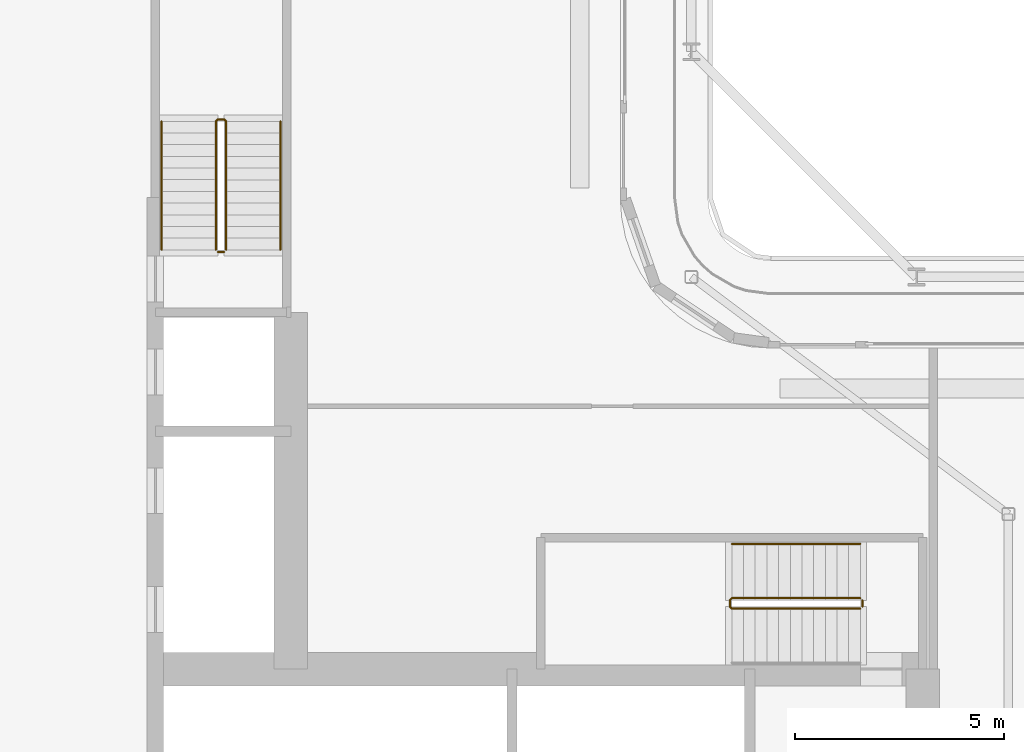
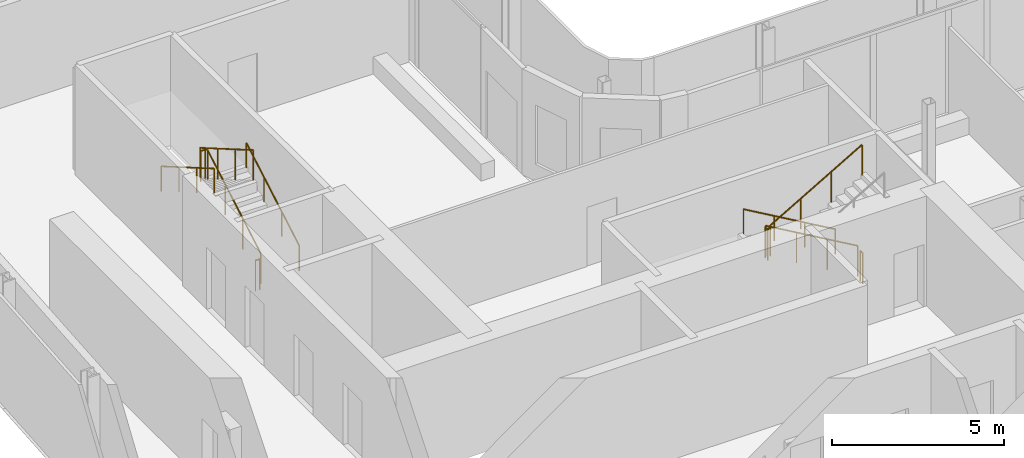
# One storey, part 23 of 28: 7 railings.
"""IFC4 building model written with IfcOpenShell, lengths in metres."""

from ifc_helpers import new_model, si_unit, direction, frame, origin, origin_2d, place, context, subcontext, project, spatial, circle, extrude, material, type_object, element, save


model = new_model("IFC4")

# Units and contexts
model_context = context("Model", 3, precision=1e-05, world=origin(), true_north=direction((0.0, 1.0)))
body_context = subcontext(model_context, "Body", "Model", "MODEL_VIEW")
ifc_project = project(units=[si_unit("LENGTHUNIT", "METRE"), si_unit("AREAUNIT", "SQUARE_METRE"), si_unit("VOLUMEUNIT", "CUBIC_METRE"), si_unit("PLANEANGLEUNIT", "RADIAN"), si_unit("MASSUNIT", "GRAM", prefix="KILO")], contexts=[model_context])

# Site, building, storey
site_placement = place(None, origin())
site = spatial("IfcSite", under=ifc_project, at=site_placement, CompositionType="ELEMENT")
building_placement = place(site_placement, origin())
building = spatial("IfcBuilding", under=site, at=building_placement, Name="Kheshtan School and Residences Tower", CompositionType="ELEMENT")
storey_placement = place(building_placement, frame((0.0, 0.0, 187.699951171875)))
storey = spatial("IfcBuildingStorey", under=building, at=storey_placement, Name="L44", CompositionType="ELEMENT", Elevation=187.699951171875)

# Railings
ifc_material_1 = material(Name="Stainless steel balustrade", Category="steel")
railing_type_1 = type_object("IfcRailingType", Name="Stair guard 1100", PredefinedType="GUARDRAIL", material=ifc_material_1)
railing_1_placement = place(storey_placement, frame((51.64990234375, 37.89990234375, 0.16259765625)))
element("IfcRailing", 1, at=railing_1_placement, inside=storey, type_object=railing_type_1, Name="L44 ST1 stair guard 1", PredefinedType="GUARDRAIL", context=body_context, shape_type="SweptSolid", body=[
    extrude(circle(Radius=0.02392578125, at=origin_2d()), frame((0.0, 0.0, 1.076171875), z_axis=(-0.864903211148, 0.0, 0.501938676878), x_axis=(0.0, -1.0, 0.0)), (0.0, 0.0, 1.0), 3.560791015625),
    extrude(circle(Radius=0.02392578125, at=origin_2d()), frame((-3.079833984375, 0.0, 2.86328125), z_axis=(-0.708833529934, -0.705375805398, 0.0), x_axis=(0.705375805398, -0.708833529934, 0.0)), (0.0, 0.0, 1.0), 0.070556640625),
    extrude(circle(Radius=0.02392578125, at=origin_2d()), frame((-3.1298828125, -0.0498046875, 2.86328125), z_axis=(0.0, -1.0, 0.0), x_axis=(1.0, 0.0, 0.0)), (0.0, 0.0, 1.0), 0.150146484375),
    extrude(circle(Radius=0.02392578125, at=origin_2d()), frame((-3.1298828125, -0.199951171875, 2.86328125), z_axis=(0.282227285176, -0.282227285176, 0.916894497205), x_axis=(0.707106781187, 0.707106781187, 0.0)), (0.0, 0.0, 1.0), 0.17724609375),
    extrude(circle(Radius=0.02392578125, at=origin_2d()), frame((-3.079833984375, -0.25, 3.02587890625), z_axis=(0.864873446163, 0.0, 0.501989962173), x_axis=(0.0, 1.0, 0.0)), (0.0, 0.0, 1.0), 3.56103515625),
    extrude(circle(Radius=0.02099609375, at=origin_2d()), origin(), (0.0, 0.0, 1.0), 1.052001953125),
    extrude(circle(Radius=0.02099609375, at=origin_2d()), frame((-1.026611328125, 0.0, 0.595703125)), (0.0, 0.0, 1.0), 1.052001953125),
    extrude(circle(Radius=0.02099609375, at=origin_2d()), frame((-2.05322265625, 0.0, 1.191650390625)), (0.0, 0.0, 1.0), 1.052001953125),
    extrude(circle(Radius=0.02099609375, at=origin_2d()), frame((-3.079833984375, 0.0, 1.787353515625)), (0.0, 0.0, 1.0), 1.052001953125),
    extrude(circle(Radius=0.02099609375, at=origin_2d()), frame((-3.1298828125, -0.0498046875, 1.787353515625)), (0.0, 0.0, 1.0), 1.052001953125),
    extrude(circle(Radius=0.02099609375, at=origin_2d()), frame((-3.1298828125, -0.199951171875, 1.787353515625)), (0.0, 0.0, 1.0), 1.052001953125),
    extrude(circle(Radius=0.02099609375, at=origin_2d()), frame((-3.079833984375, -0.25, 1.949951171875)), (0.0, 0.0, 1.0), 1.052001953125),
    extrude(circle(Radius=0.02099609375, at=origin_2d()), frame((-2.05322265625, -0.25, 2.5458984375)), (0.0, 0.0, 1.0), 1.052001953125),
    extrude(circle(Radius=0.02099609375, at=origin_2d()), frame((-1.026611328125, -0.25, 3.1416015625)), (0.0, 0.0, 1.0), 1.052001953125),
    extrude(circle(Radius=0.02099609375, at=origin_2d()), frame((0.0, -0.25, 3.737548828125)), (0.0, 0.0, 1.0), 1.052001953125),
])
railing_2_placement = place(storey_placement, frame((51.699951171875, 37.85009765625, 0.0)))
element("IfcRailing", 2, at=railing_2_placement, inside=storey, type_object=railing_type_1, Name="L44 ST1 stair guard 2", PredefinedType="GUARDRAIL", context=body_context, shape_type="SweptSolid", body=[
    extrude(circle(Radius=0.02392578125, at=origin_2d()), frame((0.0, 0.0, 1.076171875), z_axis=(0.0, -1.0, 0.0), x_axis=(1.0, 0.0, 0.0)), (0.0, 0.0, 1.0), 0.150146484375),
    extrude(circle(Radius=0.02099609375, at=origin_2d()), origin(), (0.0, 0.0, 1.0), 1.052001953125),
    extrude(circle(Radius=0.02099609375, at=origin_2d()), frame((0.0, -0.150146484375, 0.0)), (0.0, 0.0, 1.0), 1.052001953125),
])
railing_3_placement = place(storey_placement, frame((36.449951171875, 46.25, 0.16259765625)))
element("IfcRailing", 3, at=railing_3_placement, inside=storey, type_object=railing_type_1, Name="L44 ST2 stair guard 1", PredefinedType="GUARDRAIL", context=body_context, shape_type="SweptSolid", body=[
    extrude(circle(Radius=0.02392578125, at=origin_2d()), frame((0.0, 0.0, 1.076171875), z_axis=(0.0, 0.864920483161, 0.501908913857), x_axis=(-1.0, 0.0, 0.0)), (0.0, 0.0, 1.0), 3.56103515625),
    extrude(circle(Radius=0.02392578125, at=origin_2d()), frame((0.0, 3.080078125, 2.86328125), z_axis=(-0.708833529934, 0.705375805398, 0.0), x_axis=(-0.705375805398, -0.708833529934, 0.0)), (0.0, 0.0, 1.0), 0.070556640625),
    extrude(circle(Radius=0.02392578125, at=origin_2d()), frame((-0.050048828125, 3.1298828125, 2.86328125), z_axis=(-1.0, 0.0, 0.0), x_axis=(0.0, -1.0, 0.0)), (0.0, 0.0, 1.0), 0.14990234375),
    extrude(circle(Radius=0.02392578125, at=origin_2d()), frame((-0.199951171875, 3.1298828125, 2.86328125), z_axis=(-0.282336740067, -0.280959487676, 0.917250092119), x_axis=(0.705375805398, -0.708833529934, 0.0)), (0.0, 0.0, 1.0), 0.17724609375),
    extrude(circle(Radius=0.02392578125, at=origin_2d()), frame((-0.25, 3.080078125, 3.02587890625), z_axis=(0.0, -0.864890721111, 0.501960198159), x_axis=(1.0, 0.0, 0.0)), (0.0, 0.0, 1.0), 3.561279296875),
    extrude(circle(Radius=0.02099609375, at=origin_2d()), origin(), (0.0, 0.0, 1.0), 1.052001953125),
    extrude(circle(Radius=0.02099609375, at=origin_2d()), frame((0.0, 1.026611328125, 0.595703125)), (0.0, 0.0, 1.0), 1.052001953125),
    extrude(circle(Radius=0.02099609375, at=origin_2d()), frame((0.0, 2.053466796875, 1.191650390625)), (0.0, 0.0, 1.0), 1.052001953125),
    extrude(circle(Radius=0.02099609375, at=origin_2d()), frame((0.0, 3.080078125, 1.787353515625)), (0.0, 0.0, 1.0), 1.052001953125),
    extrude(circle(Radius=0.02099609375, at=origin_2d()), frame((-0.050048828125, 3.1298828125, 1.787353515625)), (0.0, 0.0, 1.0), 1.052001953125),
    extrude(circle(Radius=0.02099609375, at=origin_2d()), frame((-0.199951171875, 3.1298828125, 1.787353515625)), (0.0, 0.0, 1.0), 1.052001953125),
    extrude(circle(Radius=0.02099609375, at=origin_2d()), frame((-0.25, 3.080078125, 1.949951171875)), (0.0, 0.0, 1.0), 1.052001953125),
    extrude(circle(Radius=0.02099609375, at=origin_2d()), frame((-0.25, 2.053466796875, 2.5458984375)), (0.0, 0.0, 1.0), 1.052001953125),
    extrude(circle(Radius=0.02099609375, at=origin_2d()), frame((-0.25, 1.026611328125, 3.1416015625)), (0.0, 0.0, 1.0), 1.052001953125),
    extrude(circle(Radius=0.02099609375, at=origin_2d()), frame((-0.25, 0.0, 3.737548828125)), (0.0, 0.0, 1.0), 1.052001953125),
])
railing_4_placement = place(storey_placement, frame((36.39990234375, 46.199951171875, 0.0)))
element("IfcRailing", 4, at=railing_4_placement, inside=storey, type_object=railing_type_1, Name="L44 ST2 stair guard 2", PredefinedType="GUARDRAIL", context=body_context, shape_type="SweptSolid", body=[
    extrude(circle(Radius=0.02392578125, at=origin_2d()), frame((0.0, 0.0, 1.076171875), z_axis=(-1.0, 0.0, 0.0), x_axis=(0.0, -1.0, 0.0)), (0.0, 0.0, 1.0), 0.14990234375),
    extrude(circle(Radius=0.02099609375, at=origin_2d()), origin(), (0.0, 0.0, 1.0), 1.052001953125),
    extrude(circle(Radius=0.02099609375, at=origin_2d()), frame((-0.14990234375, 0.0, 0.0)), (0.0, 0.0, 1.0), 1.052001953125),
])
ifc_material_2 = material(Name="Stainless steel handrail", Category="steel")
railing_type_2 = type_object("IfcRailingType", Name="Stair handrail 900", PredefinedType="HANDRAIL", material=ifc_material_2)
railing_5_placement = place(storey_placement, frame((51.64990234375, 39.199951171875, 0.16259765625)))
element("IfcRailing", 5, at=railing_5_placement, inside=storey, type_object=railing_type_2, Name="L44 ST1 stair handrail 1", PredefinedType="HANDRAIL", context=body_context, shape_type="SweptSolid", body=[
    extrude(circle(Radius=0.02392578125, at=origin_2d()), frame((0.0, 0.0, 0.8759765625), z_axis=(-0.864903211148, 0.0, 0.501938676878), x_axis=(0.0, -1.0, 0.0)), (0.0, 0.0, 1.0), 3.560791015625),
    extrude(circle(Radius=0.02099609375, at=origin_2d()), origin(), (0.0, 0.0, 1.0), 0.851806640625),
    extrude(circle(Radius=0.02099609375, at=origin_2d()), frame((-1.026611328125, 0.0, 0.595703125)), (0.0, 0.0, 1.0), 0.851806640625),
    extrude(circle(Radius=0.02099609375, at=origin_2d()), frame((-2.05322265625, 0.0, 1.191650390625)), (0.0, 0.0, 1.0), 0.851806640625),
    extrude(circle(Radius=0.02099609375, at=origin_2d()), frame((-3.079833984375, 0.0, 1.787353515625)), (0.0, 0.0, 1.0), 0.851806640625),
])
railing_6_placement = place(storey_placement, frame((37.75, 46.25, 0.16259765625)))
element("IfcRailing", 6, at=railing_6_placement, inside=storey, type_object=railing_type_2, Name="L44 ST2 stair handrail 1", PredefinedType="HANDRAIL", context=body_context, shape_type="SweptSolid", body=[
    extrude(circle(Radius=0.02392578125, at=origin_2d()), frame((0.0, 0.0, 0.8759765625), z_axis=(0.0, 0.864920483161, 0.501908913857), x_axis=(-1.0, 0.0, 0.0)), (0.0, 0.0, 1.0), 3.56103515625),
    extrude(circle(Radius=0.02099609375, at=origin_2d()), origin(), (0.0, 0.0, 1.0), 0.851806640625),
    extrude(circle(Radius=0.02099609375, at=origin_2d()), frame((0.0, 1.026611328125, 0.595703125)), (0.0, 0.0, 1.0), 0.851806640625),
    extrude(circle(Radius=0.02099609375, at=origin_2d()), frame((0.0, 2.053466796875, 1.191650390625)), (0.0, 0.0, 1.0), 0.851806640625),
    extrude(circle(Radius=0.02099609375, at=origin_2d()), frame((0.0, 3.080078125, 1.787353515625)), (0.0, 0.0, 1.0), 0.851806640625),
])
railing_7_placement = place(storey_placement, frame((34.89990234375, 49.330078125, 2.112548828125)))
element("IfcRailing", 7, at=railing_7_placement, inside=storey, type_object=railing_type_2, Name="L44 ST2 stair handrail 2", PredefinedType="HANDRAIL", context=body_context, shape_type="SweptSolid", body=[
    extrude(circle(Radius=0.02392578125, at=origin_2d()), frame((0.0, 0.0, 0.8759765625), z_axis=(0.0, -0.864890721111, 0.501960198159), x_axis=(1.0, 0.0, 0.0)), (0.0, 0.0, 1.0), 3.561279296875),
    extrude(circle(Radius=0.02099609375, at=origin_2d()), origin(), (0.0, 0.0, 1.0), 0.851806640625),
    extrude(circle(Radius=0.02099609375, at=origin_2d()), frame((0.0, -1.026611328125, 0.595947265625)), (0.0, 0.0, 1.0), 0.851806640625),
    extrude(circle(Radius=0.02099609375, at=origin_2d()), frame((0.0, -2.053466796875, 1.191650390625)), (0.0, 0.0, 1.0), 0.851806640625),
    extrude(circle(Radius=0.02099609375, at=origin_2d()), frame((0.0, -3.080078125, 1.78759765625)), (0.0, 0.0, 1.0), 0.851806640625),
])

save(model, "model.ifc")
